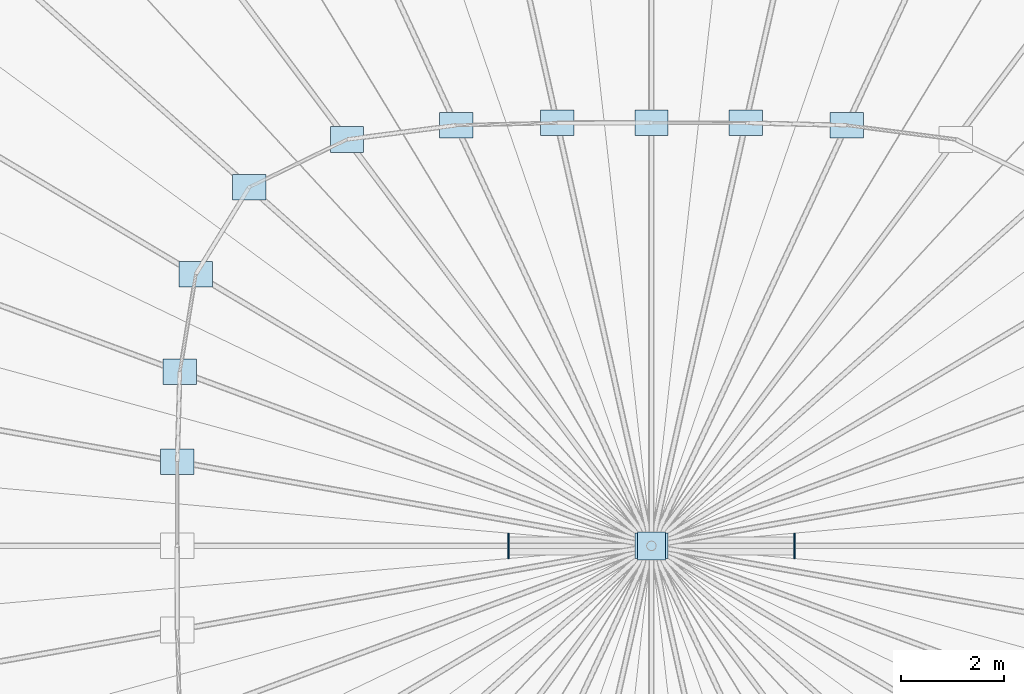
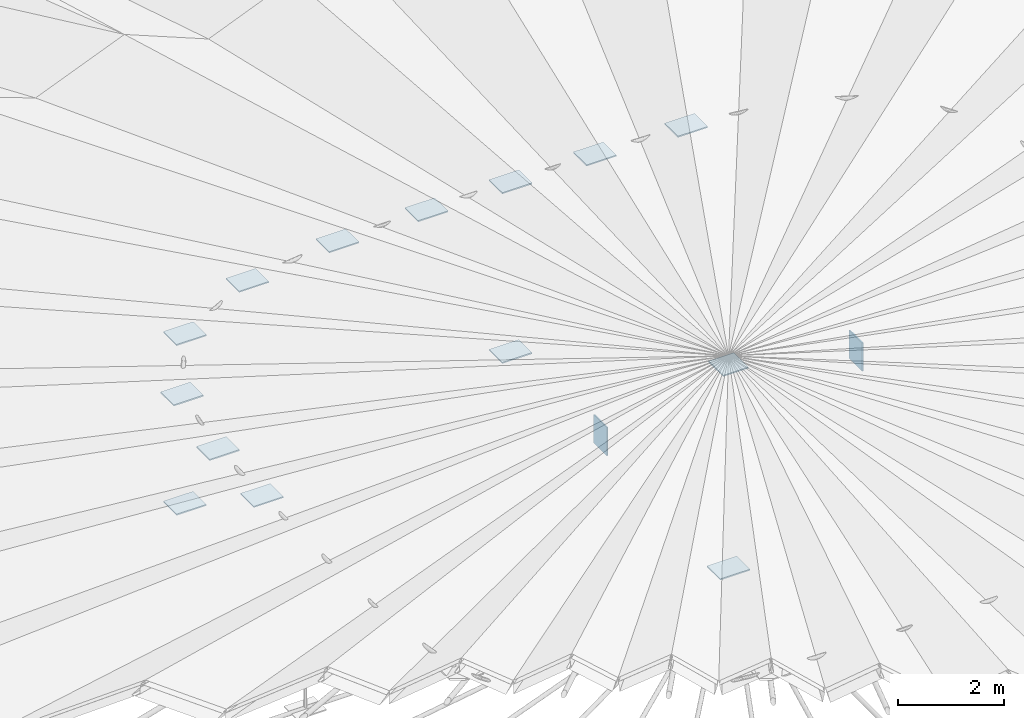
# One storey, part 33 of 41: 16 plates.
"""IFC4 building model written with IfcOpenShell, lengths in metres."""

from ifc_helpers import new_model, si_unit, direction, frame, origin, origin_2d, place, context, subcontext, project, spatial, rectangle, extrude, material, layer, layer_set, type_object, element, save


model = new_model("IFC4")

# Units and contexts
model_context = context("Model", 3, precision=1e-05, world=origin(), true_north=direction((0.0, 1.0)))
body_context = subcontext(model_context, "Body", "Model", "MODEL_VIEW")
ifc_project = project(units=[si_unit("LENGTHUNIT", "METRE"), si_unit("AREAUNIT", "SQUARE_METRE"), si_unit("VOLUMEUNIT", "CUBIC_METRE"), si_unit("PLANEANGLEUNIT", "RADIAN"), si_unit("MASSUNIT", "GRAM", prefix="KILO")], contexts=[model_context])

# Site, building, storey
site_placement = place(None, origin())
site = spatial("IfcSite", under=ifc_project, at=site_placement, CompositionType="ELEMENT")
building_placement = place(site_placement, origin())
building = spatial("IfcBuilding", under=site, at=building_placement, Name="Luwafu Chhajja Arena", CompositionType="ELEMENT")
storey_placement = place(building_placement, frame((0.0, 0.0, 29.699951171875)))
storey = spatial("IfcBuildingStorey", under=building, at=storey_placement, Name="RF", CompositionType="ELEMENT", Elevation=29.699951171875)

# Plates
ifc_material = material(Name="Steel S355", Category="steel")
ifc_layer_1 = layer(ifc_material, 0.028076171875, Name="Steel S355")
ifc_layer_set_1 = layer_set([ifc_layer_1], Name="Steel S355")
plate_type_1 = type_object("IfcPlateType", Name="Cable Net Clamp Gusset Plate CN-1", PredefinedType="USERDEFINED", material=ifc_layer_set_1)
for number, where, z_axis, x_axis, name in (
    (1, (102.809326171875, 57.7021484375, 8.005859375), (0.0, 0.0, 1.0), (1.0, 0.0, 0.0), "Cable Net Clamp Plate CN-1 07"),
    (2, (100.83935546875, 57.747802734375, 8.005859375), (0.0, 0.0, 1.0), (1.0, 0.0, 0.0), "Cable Net Clamp Plate CN-1 08"),
    (3, (99.0, 57.75, 8.005859375), (0.0, 0.0, 1.0), (1.0, 0.0, 0.0), "Cable Net Clamp Plate CN-1 09"),
    (4, (99.0, 57.75, 4.0859375), (0.0, 0.0, 1.0), (1.0, 0.0, 0.0), "Cable Net Lower Clamp Plate CN-1 03"),
    (5, (97.16064453125, 57.747802734375, 8.005859375), (0.0, 0.0, 1.0), (1.0, 0.0, 0.0), "Cable Net Clamp Plate CN-1 10"),
    (6, (95.190673828125, 57.7021484375, 8.005859375), (0.0, 0.0, 1.0), (1.0, 0.0, 0.0), "Cable Net Clamp Plate CN-1 11"),
    (7, (93.062744140625, 57.425048828125, 8.005859375), (0.0, 0.0, 1.0), (1.0, 0.0, 0.0), "Cable Net Clamp Plate CN-1 12"),
    (8, (91.1572265625, 56.494873046875, 8.005859375), (0.0, 0.0, 1.0), (1.0, 0.0, 0.0), "Cable Net Clamp Plate CN-1 13"),
    (9, (91.1572265625, 56.494873046875, 4.0859375), (0.0, 0.0, 1.0), (1.0, 0.0, 0.0), "Cable Net Lower Clamp Plate CN-1 04"),
    (10, (90.114501953125, 54.79541015625, 8.005859375), (0.0, 0.0, 1.0), (1.0, 0.0, 0.0), "Cable Net Clamp Plate CN-1 14"),
    (11, (89.8037109375, 52.8974609375, 8.005859375), (0.0, 0.0, 1.0), (1.0, 0.0, 0.0), "Cable Net Clamp Plate CN-1 15"),
    (12, (89.75244140625, 51.140625, 8.005859375), (0.0, 0.0, 1.0), (1.0, 0.0, 0.0), "Cable Net Clamp Plate CN-1 16"),
):
    element("IfcPlate", number, at=place(storey_placement, frame(where, z_axis=z_axis, x_axis=x_axis)), inside=storey, type_object=plate_type_1, Name=name, ObjectType="GUSSET PLATE", PredefinedType="USERDEFINED", context=body_context, shape_type="SweptSolid", body=[
        extrude(rectangle(XDim=0.64990234375, YDim=0.5, at=origin_2d()), origin(), (0.0, 0.0, 1.0), 0.028076171875),
    ])
for number, where, z_axis, x_axis, name in (
    (13, (101.7890625, 49.5, 7.8251953125), (0.0, 0.0, 1.0), (-1.0, 0.0, 0.0), "Central Hub Collar End Cap Plate CN-1 1"),
    (14, (96.2109375, 49.5, 7.8251953125), (0.0, 0.0, 1.0), (-1.0, 0.0, 0.0), "Central Hub Collar End Cap Plate CN-1 2"),
):
    element("IfcPlate", number, at=place(storey_placement, frame(where, z_axis=z_axis, x_axis=x_axis)), inside=storey, type_object=plate_type_1, Name=name, ObjectType="GUSSET PLATE", PredefinedType="USERDEFINED", context=body_context, shape_type="SweptSolid", body=[
        extrude(rectangle(XDim=0.028076171875, YDim=0.5, at=origin_2d()), origin(), (0.0, 0.0, 1.0), 0.64990234375),
    ])
plate_1_placement = place(storey_placement, frame((99.0, 49.5, 4.0859375), z_axis=(0.0, 0.0, 1.0), x_axis=(1.0, 0.0, 0.0)))
element("IfcPlate", 15, at=plate_1_placement, inside=storey, type_object=plate_type_1, Name="Central Lower Stabilizing Hub Plate CN-1", ObjectType="GUSSET PLATE", PredefinedType="USERDEFINED", context=body_context, shape_type="SweptSolid", body=[
    extrude(rectangle(XDim=0.64990234375, YDim=0.5, at=origin_2d()), origin(), (0.0, 0.0, 1.0), 0.028076171875),
])
ifc_layer_2 = layer(ifc_material, 0.028076171875, Name="Steel S355")
ifc_layer_set_2 = layer_set([ifc_layer_2], Name="Steel S355")
plate_type_2 = type_object("IfcPlateType", Name="Roof Access Mast Base Plate BP-3", PredefinedType="USERDEFINED", material=ifc_layer_set_2)
plate_2_placement = place(storey_placement, frame((99.0, 49.5, 8.7861328125), z_axis=(0.0, 0.0, 1.0), x_axis=(1.0, 0.0, 0.0)))
element("IfcPlate", 16, at=plate_2_placement, inside=storey, type_object=plate_type_2, Name="Central Hub Base Plate BP-3", ObjectType="BASE PLATE", PredefinedType="USERDEFINED", context=body_context, shape_type="SweptSolid", body=[
    extrude(rectangle(XDim=0.550048828125, YDim=0.550048828125, at=origin_2d()), origin(), (0.0, 0.0, 1.0), 0.028076171875),
])

save(model, "model.ifc")
